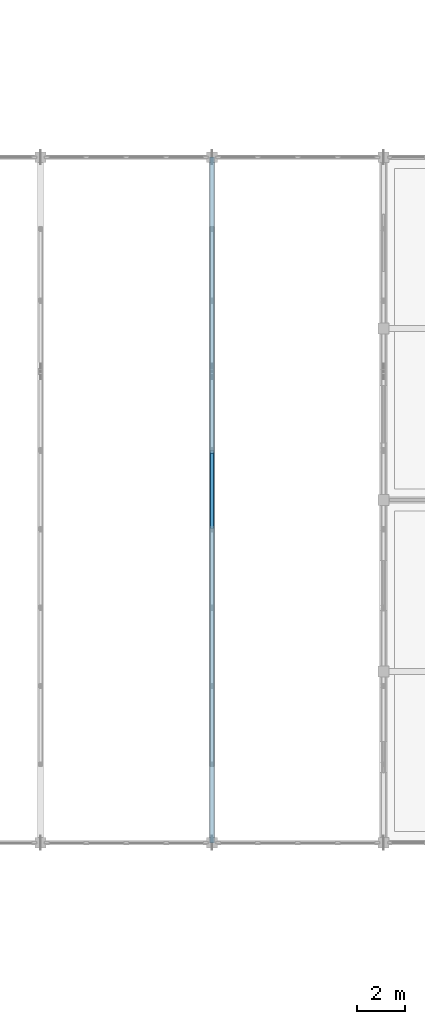
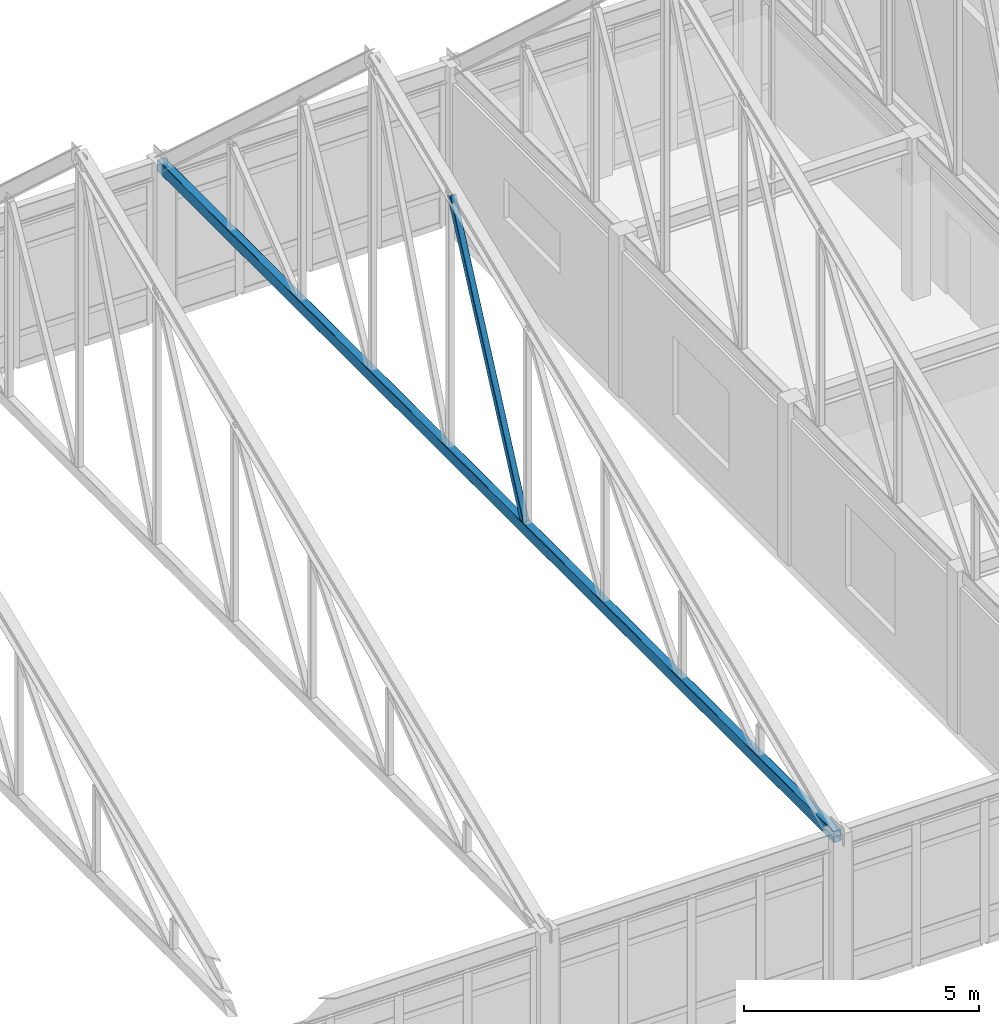
# One storey, part 29 of 136: 2 members.
"""IFC4 building model written with IfcOpenShell, lengths in metres."""

from ifc_helpers import new_model, si_unit, direction, frame, origin, origin_2d, place, context, subcontext, project, spatial, hollow_rectangle, extrude, material, material_profile, profile_set, type_object, element, save


model = new_model("IFC4")

# Units and contexts
model_context = context("Model", 3, precision=1e-05, world=origin(), true_north=direction((0.0, 1.0)))
body_context = subcontext(model_context, "Body", "Model", "MODEL_VIEW")
ifc_project = project(units=[si_unit("LENGTHUNIT", "METRE"), si_unit("AREAUNIT", "SQUARE_METRE"), si_unit("VOLUMEUNIT", "CUBIC_METRE"), si_unit("PLANEANGLEUNIT", "RADIAN"), si_unit("MASSUNIT", "GRAM", prefix="KILO")], contexts=[model_context])

# Site, building, storey
site_placement = place(None, origin())
site = spatial("IfcSite", under=ifc_project, at=site_placement, CompositionType="ELEMENT")
building_placement = place(site_placement, origin())
building = spatial("IfcBuilding", under=site, at=building_placement, Name="Koriwan Promenade Central Fire Station", CompositionType="ELEMENT")
storey_placement = place(building_placement, frame((0.0, 0.0, 5.39990234375)))
storey = spatial("IfcBuildingStorey", under=building, at=storey_placement, Name="L01", CompositionType="ELEMENT", Elevation=5.39990234375)

# Members
ifc_material = material(Name="Steel ASTM A500 Grade C", Category="steel")
ifc_material_profile_1 = material_profile(ifc_material, hollow_rectangle(XDim=0.199951171875, YDim=0.300048828125, WallThickness=0.011962890625, InnerFilletRadius=0.011962890625, OuterFilletRadius=0.02392578125, at=origin_2d()), Name="HSS300x200x12")
ifc_profile_set_1 = profile_set([ifc_material_profile_1], Name="Steel ASTM A500 Grade C")
member_type_1 = type_object("IfcMemberType", Name="Member_CHORD_HSS300x200x12", PredefinedType="CHORD", material=ifc_profile_set_1)
member_1_placement = place(storey_placement, frame((93.60009765625, 43.199951171875, 4.02001953125), z_axis=(0.0, 1.0, 0.0), x_axis=(-1.0, 0.0, 0.0)))
element("IfcMember", 1, at=member_1_placement, inside=storey, type_object=member_type_1, Name="TR_V1_06 bottom tie chord", PredefinedType="CHORD", context=body_context, shape_type="SweptSolid", body=[
    extrude(hollow_rectangle(XDim=0.199951171875, YDim=0.300048828125, WallThickness=0.011962890625, InnerFilletRadius=0.011962890625, OuterFilletRadius=0.02392578125, at=origin_2d()), origin(), (0.0, 0.0, 1.0), 28.800048828125),
])
ifc_material_profile_2 = material_profile(ifc_material, hollow_rectangle(XDim=0.14990234375, YDim=0.14990234375, WallThickness=0.008056640625, InnerFilletRadius=0.008056640625, OuterFilletRadius=0.01611328125, at=origin_2d()), Name="HSS150x150x8")
ifc_profile_set_2 = profile_set([ifc_material_profile_2], Name="Steel ASTM A500 Grade C")
member_type_2 = type_object("IfcMemberType", Name="Member_STRUT_HSS150x150x8", PredefinedType="STRUT", material=ifc_profile_set_2)
member_2_placement = place(storey_placement, frame((93.60009765625, 56.47998046875, 4.070068359375), z_axis=(0.0, 0.426803552064, 0.904344363583), x_axis=(-1.0, 0.0, 0.0)))
element("IfcMember", 2, at=member_2_placement, inside=storey, type_object=member_type_2, Name="TR_V1_06 web diagonal 5", PredefinedType="STRUT", context=body_context, shape_type="SweptSolid", body=[
    extrude(hollow_rectangle(XDim=0.14990234375, YDim=0.14990234375, WallThickness=0.008056640625, InnerFilletRadius=0.008056640625, OuterFilletRadius=0.01611328125, at=origin_2d()), origin(), (0.0, 0.0, 1.0), 7.357421875),
])

save(model, "model.ifc")
